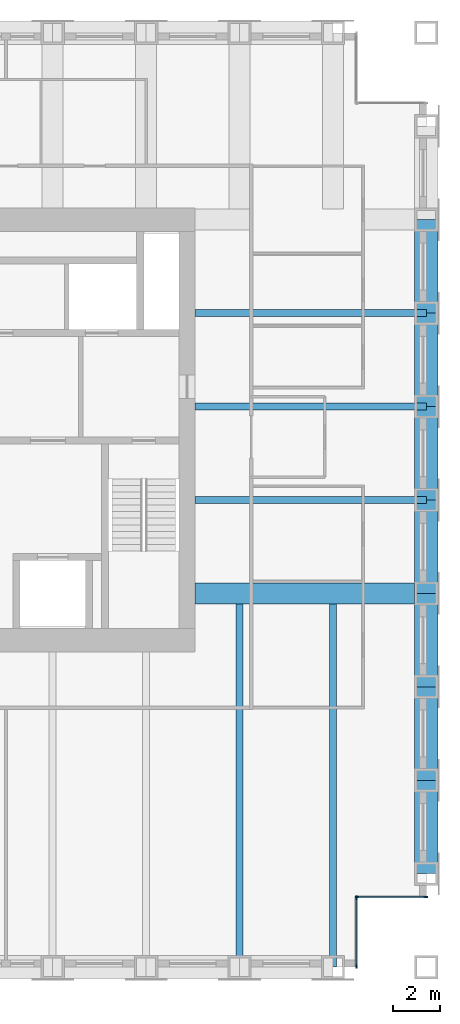
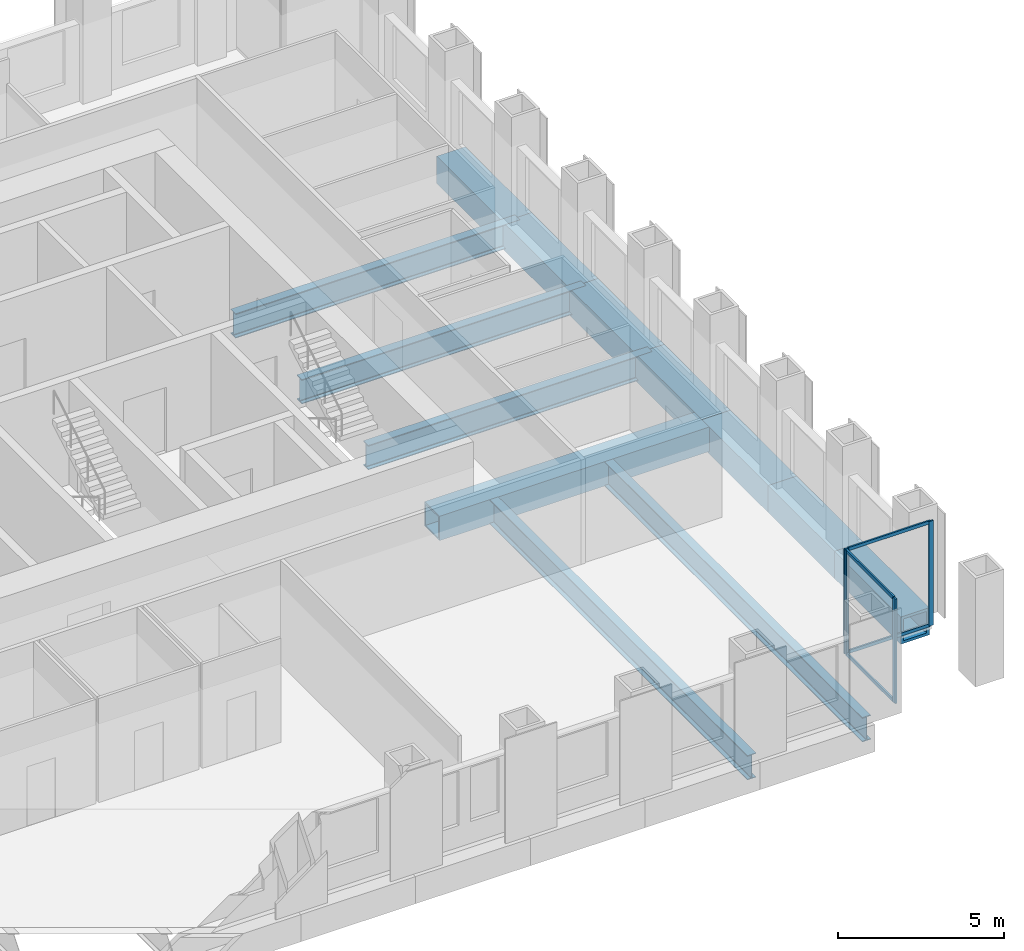
# One storey, part 4 of 13: 13 beams, 8 members, 2 elements without a shape of their own.
"""IFC4 building model written with IfcOpenShell, lengths in metres."""

from ifc_helpers import new_model, si_unit, direction, frame, origin, origin_2d, place, context, subcontext, project, spatial, rectangle, hollow_rectangle, i_section, extrude, material, material_profile, profile_set, type_object, element, aggregate, save


model = new_model("IFC4")

# Units and contexts
model_context = context("Model", 3, precision=1e-05, world=origin(), true_north=direction((0.0, 1.0)))
body_context = subcontext(model_context, "Body", "Model", "MODEL_VIEW")
ifc_project = project(units=[si_unit("LENGTHUNIT", "METRE"), si_unit("AREAUNIT", "SQUARE_METRE"), si_unit("VOLUMEUNIT", "CUBIC_METRE"), si_unit("PLANEANGLEUNIT", "RADIAN"), si_unit("MASSUNIT", "GRAM", prefix="KILO")], contexts=[model_context])

# Site, building, storey
site_placement = place(None, origin())
site = spatial("IfcSite", under=ifc_project, at=site_placement, CompositionType="ELEMENT")
building_placement = place(site_placement, origin())
building = spatial("IfcBuilding", under=site, at=building_placement, Name="Rimbunsela Tower", CompositionType="ELEMENT")
storey_placement = place(building_placement, frame((0.0, 0.0, 290.199951171875)))
storey = spatial("IfcBuildingStorey", under=building, at=storey_placement, Name="L70", CompositionType="ELEMENT", Elevation=290.199951171875)

# Beams
ifc_material_1 = material(Name="Steel BJ 55 (fy 410 MPa)", Category="steel")
ifc_material_profile_1 = material_profile(ifc_material_1, hollow_rectangle(XDim=1.0, YDim=1.0, WallThickness=0.10009765625, at=origin_2d()), Name="BOX 1000x1000x100")
ifc_profile_set_1 = profile_set([ifc_material_profile_1], Name="Steel BJ 55 (fy 410 MPa)")
beam_type_1 = type_object("IfcBeamType", Name="Beam BOX 1000x1000x100", PredefinedType="BEAM", material=ifc_profile_set_1)
for number, where, z_axis, x_axis, name in (
    (1, (46.0, 8.0, -0.64990234375), (0.0, 1.0, 0.0), (-1.0, 0.0, 0.0), "Beam B3 L70"),
    (2, (46.0, 12.0, -0.64990234375), (0.0, 1.0, 0.0), (-1.0, 0.0, 0.0), "Beam B3 L70"),
    (3, (46.0, 16.0, -0.64990234375), (0.0, 1.0, 0.0), (-1.0, 0.0, 0.0), "Beam B3 L70"),
    (4, (46.0, 20.0, -0.64990234375), (0.0, 1.0, 0.0), (-1.0, 0.0, 0.0), "Beam B3 L70"),
    (5, (46.0, 24.0, -0.64990234375), (0.0, 1.0, 0.0), (-1.0, 0.0, 0.0), "Beam B3 L70"),
    (6, (46.0, 28.0, -0.64990234375), (0.0, 1.0, 0.0), (-1.0, 0.0, 0.0), "Beam B3 L70"),
    (7, (46.0, 32.0, -0.64990234375), (0.0, 1.0, 0.0), (-1.0, 0.0, 0.0), "Beam B3 L70"),
):
    element("IfcBeam", number, at=place(storey_placement, frame(where, z_axis=z_axis, x_axis=x_axis)), inside=storey, type_object=beam_type_1, Name=name, PredefinedType="BEAM", context=body_context, shape_type="SweptSolid", body=[
        extrude(hollow_rectangle(XDim=1.0, YDim=1.0, WallThickness=0.10009765625, at=origin_2d()), origin(), (0.0, 0.0, 1.0), 4.0),
    ])
ifc_material_2 = material(Name="Steel BJ 55 (fy 410 MPa)", Category="steel")
ifc_material_profile_2 = material_profile(ifc_material_2, hollow_rectangle(XDim=0.89990234375, YDim=0.89990234375, WallThickness=0.06005859375, at=origin_2d()), Name="BOX 900x900x60")
ifc_profile_set_2 = profile_set([ifc_material_profile_2], Name="Steel BJ 55 (fy 410 MPa)")
beam_type_2 = type_object("IfcBeamType", Name="Beam BOX 900x900x60", PredefinedType="BEAM", material=ifc_profile_set_2)
beam_placement = place(storey_placement, frame((36.10009765625, 20.0, -0.599853515625), z_axis=(1.0, 0.0, 0.0), x_axis=(0.0, 1.0, 0.0)))
element("IfcBeam", 8, at=beam_placement, inside=storey, type_object=beam_type_2, Name="Beam B1 L70", PredefinedType="BEAM", context=body_context, shape_type="SweptSolid", body=[
    extrude(hollow_rectangle(XDim=0.89990234375, YDim=0.89990234375, WallThickness=0.06005859375, at=origin_2d()), origin(), (0.0, 0.0, 1.0), 9.89990234375),
])
ifc_material_3 = material(Name="Steel BJ 55 (fy 410 MPa)", Category="steel")
ifc_material_profile_3 = material_profile(ifc_material_3, i_section(OverallWidth=0.300048828125, OverallDepth=0.89990234375, WebThickness=0.01611328125, FlangeThickness=0.028076171875, FilletRadius=0.028076171875, at=origin_2d()), Name="H 900x300x16x28")
ifc_profile_set_3 = profile_set([ifc_material_profile_3], Name="Steel BJ 55 (fy 410 MPa)")
beam_type_3 = type_object("IfcBeamType", Name="Beam H 900x300x16x28", PredefinedType="BEAM", material=ifc_profile_set_3)
for number, where, z_axis, x_axis, name in (
    (9, (36.10009765625, 24.0, -0.599853515625), (1.0, 0.0, 0.0), (0.0, 1.0, 0.0), "Beam B2 L70"),
    (10, (36.10009765625, 28.0, -0.599853515625), (1.0, 0.0, 0.0), (0.0, 1.0, 0.0), "Beam B2 L70"),
    (11, (36.10009765625, 32.0, -0.599853515625), (1.0, 0.0, 0.0), (0.0, 1.0, 0.0), "Beam B2 L70"),
):
    element("IfcBeam", number, at=place(storey_placement, frame(where, z_axis=z_axis, x_axis=x_axis)), inside=storey, type_object=beam_type_3, Name=name, PredefinedType="BEAM", context=body_context, shape_type="SweptSolid", body=[
        extrude(i_section(OverallWidth=0.300048828125, OverallDepth=0.89990234375, WebThickness=0.01611328125, FlangeThickness=0.028076171875, FilletRadius=0.028076171875, at=origin_2d()), origin(), (0.0, 0.0, 1.0), 9.89990234375),
    ])
for number, where, z_axis, x_axis, name in (
    (12, (38.0, 4.0, -0.599853515625), (0.0, 1.0, 0.0), (-1.0, 0.0, 0.0), "Beam B2 L70"),
    (13, (42.0, 4.0, -0.599853515625), (0.0, 1.0, 0.0), (-1.0, 0.0, 0.0), "Beam B2 L70"),
):
    element("IfcBeam", number, at=place(storey_placement, frame(where, z_axis=z_axis, x_axis=x_axis)), inside=storey, type_object=beam_type_3, Name=name, PredefinedType="BEAM", context=body_context, shape_type="SweptSolid", body=[
        extrude(i_section(OverallWidth=0.300048828125, OverallDepth=0.89990234375, WebThickness=0.01611328125, FlangeThickness=0.028076171875, FilletRadius=0.028076171875, at=origin_2d()), origin(), (0.0, 0.0, 1.0), 15.550048828125),
    ])

# Curtain wall, members
ifc_material_4 = material(Name="Aluminium curtain wall", Category="aluminium")
curtain_wall_type = type_object("IfcCurtainWallType", Name="Corner glazing", PredefinedType="USERDEFINED", material=ifc_material_4)
curtain_wall_1_placement = place(storey_placement, origin())
curtain_wall_1 = element("IfcCurtainWall", 14, at=curtain_wall_1_placement, inside=storey, type_object=curtain_wall_type, Name="Corner glazing L70", ObjectType="CORNER GLAZING", PredefinedType="USERDEFINED")
ifc_material_5 = material(Name="Aluminium mullion", Category="aluminium")
ifc_material_profile_4 = material_profile(ifc_material_5, rectangle(XDim=0.06005859375, YDim=0.159912109375, at=origin_2d()), Name="Mullion 60x160")
ifc_profile_set_4 = profile_set([ifc_material_profile_4], Name="Aluminium mullion")
member_type_1 = type_object("IfcMemberType", Name="Curtain wall mullion 60x160", PredefinedType="MULLION", material=ifc_profile_set_4)
member_1_placement = place(storey_placement, frame((43.0, 4.030029296875, 0.0), z_axis=(0.0, 0.0, 1.0), x_axis=(-1.0, 0.0, 0.0)))
member_1 = element("IfcMember", 15, at=member_1_placement, type_object=member_type_1, Name="CW5 mullion 1", PredefinedType="MULLION", context=body_context, shape_type="SweptSolid", body=[
    extrude(rectangle(XDim=0.06005859375, YDim=0.159912109375, at=origin_2d()), origin(), (0.0, 0.0, 1.0), 3.85009765625),
])
member_2_placement = place(storey_placement, frame((43.0, 6.969970703125, 0.0), z_axis=(0.0, 0.0, 1.0), x_axis=(-1.0, 0.0, 0.0)))
member_2 = element("IfcMember", 16, at=member_2_placement, type_object=member_type_1, Name="CW5 mullion 2", PredefinedType="MULLION", context=body_context, shape_type="SweptSolid", body=[
    extrude(rectangle(XDim=0.06005859375, YDim=0.159912109375, at=origin_2d()), origin(), (0.0, 0.0, 1.0), 3.85009765625),
])

curtain_wall_2_placement = place(storey_placement, origin())
curtain_wall_2 = element("IfcCurtainWall", 17, at=curtain_wall_2_placement, inside=storey, type_object=curtain_wall_type, Name="Corner glazing L70", ObjectType="CORNER GLAZING", PredefinedType="USERDEFINED")
member_3_placement = place(storey_placement, frame((43.030029296875, 7.0, 0.0), z_axis=(0.0, 0.0, 1.0), x_axis=(0.0, 1.0, 0.0)))
member_3 = element("IfcMember", 18, at=member_3_placement, type_object=member_type_1, Name="CW5 mullion 1", PredefinedType="MULLION", context=body_context, shape_type="SweptSolid", body=[
    extrude(rectangle(XDim=0.06005859375, YDim=0.159912109375, at=origin_2d()), origin(), (0.0, 0.0, 1.0), 3.85009765625),
])
member_4_placement = place(storey_placement, frame((45.969970703125, 7.0, 0.0), z_axis=(0.0, 0.0, 1.0), x_axis=(0.0, 1.0, 0.0)))
member_4 = element("IfcMember", 19, at=member_4_placement, type_object=member_type_1, Name="CW5 mullion 2", PredefinedType="MULLION", context=body_context, shape_type="SweptSolid", body=[
    extrude(rectangle(XDim=0.06005859375, YDim=0.159912109375, at=origin_2d()), origin(), (0.0, 0.0, 1.0), 3.85009765625),
])

# Member
ifc_material_6 = material(Name="Aluminium transom", Category="aluminium")
ifc_material_profile_5 = material_profile(ifc_material_6, rectangle(XDim=0.06005859375, YDim=0.1201171875, at=origin_2d()), Name="Transom 60x120")
ifc_profile_set_5 = profile_set([ifc_material_profile_5], Name="Aluminium transom")
member_type_2 = type_object("IfcMemberType", Name="Curtain wall transom 60x120", PredefinedType="USERDEFINED", material=ifc_profile_set_5)
member_5_placement = place(storey_placement, frame((43.0, 4.06005859375, 0.030029296875), z_axis=(0.0, 1.0, 0.0), x_axis=(-1.0, 0.0, 0.0)))
member_5 = element("IfcMember", 20, at=member_5_placement, type_object=member_type_2, Name="CW5 transom 1.1", ObjectType="TRANSOM", PredefinedType="USERDEFINED", context=body_context, shape_type="SweptSolid", body=[
    extrude(rectangle(XDim=0.06005859375, YDim=0.1201171875, at=origin_2d()), origin(), (0.0, 0.0, 1.0), 2.8798828125),
])

member_6_placement = place(storey_placement, frame((43.0, 4.06005859375, 3.820068359375), z_axis=(0.0, 1.0, 0.0), x_axis=(-1.0, 0.0, 0.0)))
member_6 = element("IfcMember", 21, at=member_6_placement, type_object=member_type_2, Name="CW5 transom 1.2", ObjectType="TRANSOM", PredefinedType="USERDEFINED", context=body_context, shape_type="SweptSolid", body=[
    extrude(rectangle(XDim=0.06005859375, YDim=0.1201171875, at=origin_2d()), origin(), (0.0, 0.0, 1.0), 2.8798828125),
])

aggregate(curtain_wall_1, [member_1, member_2, member_5, member_6])

member_7_placement = place(storey_placement, frame((43.06005859375, 7.0, 0.030029296875), z_axis=(1.0, 0.0, 0.0), x_axis=(0.0, 1.0, 0.0)))
member_7 = element("IfcMember", 22, at=member_7_placement, type_object=member_type_2, Name="CW5 transom 1.1", ObjectType="TRANSOM", PredefinedType="USERDEFINED", context=body_context, shape_type="SweptSolid", body=[
    extrude(rectangle(XDim=0.06005859375, YDim=0.1201171875, at=origin_2d()), origin(), (0.0, 0.0, 1.0), 2.8798828125),
])

member_8_placement = place(storey_placement, frame((43.06005859375, 7.0, 3.820068359375), z_axis=(1.0, 0.0, 0.0), x_axis=(0.0, 1.0, 0.0)))
member_8 = element("IfcMember", 23, at=member_8_placement, type_object=member_type_2, Name="CW5 transom 1.2", ObjectType="TRANSOM", PredefinedType="USERDEFINED", context=body_context, shape_type="SweptSolid", body=[
    extrude(rectangle(XDim=0.06005859375, YDim=0.1201171875, at=origin_2d()), origin(), (0.0, 0.0, 1.0), 2.8798828125),
])

aggregate(curtain_wall_2, [member_3, member_4, member_7, member_8])

save(model, "model.ifc")
